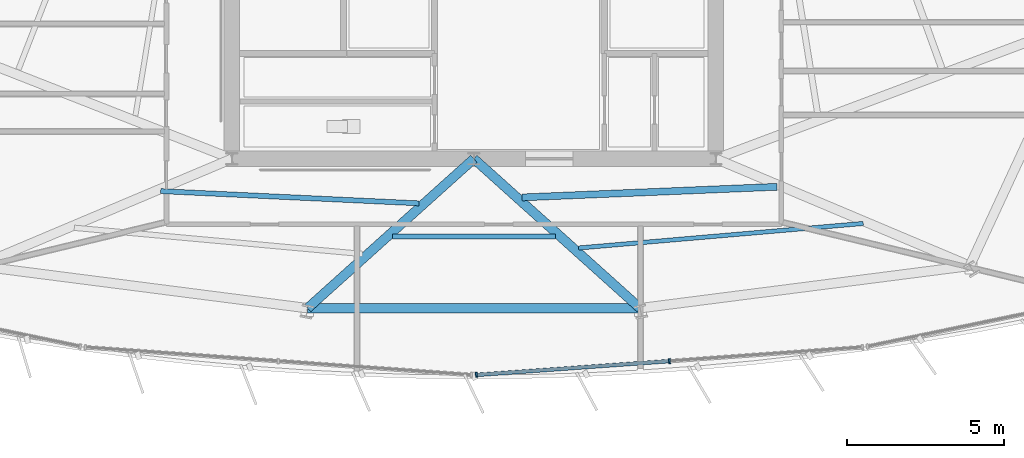
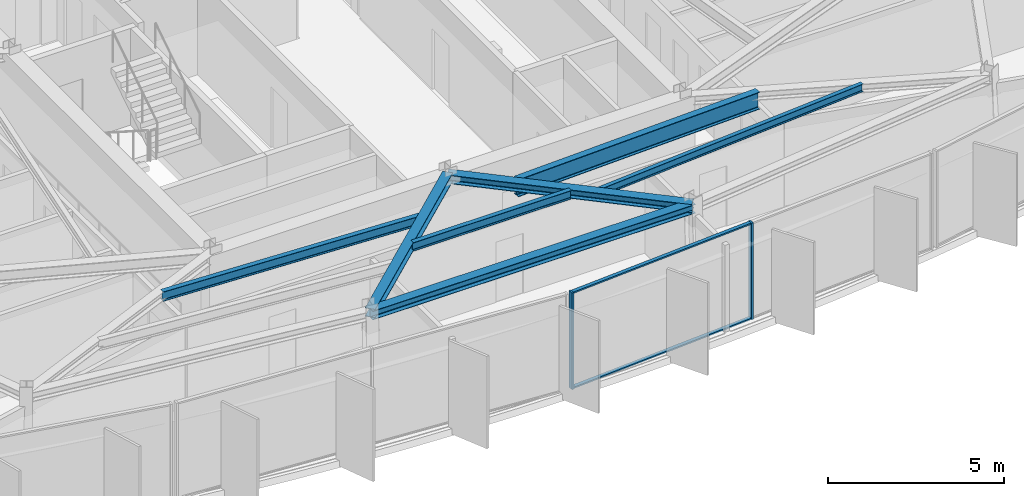
# One storey, part 3 of 13: 7 beams, 4 members, 1 element without a shape of its own.
"""IFC4 building model written with IfcOpenShell, lengths in metres."""

from ifc_helpers import new_model, si_unit, direction, frame, origin, origin_2d, place, context, subcontext, project, spatial, rectangle, i_section, extrude, material, material_profile, profile_set, type_object, element, aggregate, save


model = new_model("IFC4")

# Units and contexts
model_context = context("Model", 3, precision=1e-05, world=origin(), true_north=direction((0.0, 1.0)))
body_context = subcontext(model_context, "Body", "Model", "MODEL_VIEW")
ifc_project = project(units=[si_unit("LENGTHUNIT", "METRE"), si_unit("AREAUNIT", "SQUARE_METRE"), si_unit("VOLUMEUNIT", "CUBIC_METRE"), si_unit("PLANEANGLEUNIT", "RADIAN"), si_unit("MASSUNIT", "GRAM", prefix="KILO")], contexts=[model_context])

# Site, building, storey
site_placement = place(None, origin())
site = spatial("IfcSite", under=ifc_project, at=site_placement, CompositionType="ELEMENT")
building_placement = place(site_placement, origin())
building = spatial("IfcBuilding", under=site, at=building_placement, Name="Savorim Split Tower", CompositionType="ELEMENT")
storey_placement = place(building_placement, frame((0.0, 0.0, 254.39990234375)))
storey = spatial("IfcBuildingStorey", under=building, at=storey_placement, Name="L67", CompositionType="ELEMENT", Elevation=254.39990234375)

# Beams
ifc_material_1 = material(Name="Steel S355", Category="steel")
ifc_material_profile_1 = material_profile(ifc_material_1, i_section(OverallWidth=0.135009765625, OverallDepth=0.27001953125, WebThickness=0.006591796875, FlangeThickness=0.01025390625, FilletRadius=0.014892578125, at=origin_2d()), Name="IPE 270")
ifc_profile_set_1 = profile_set([ifc_material_profile_1], Name="Steel S355")
beam_type_1 = type_object("IfcBeamType", Name="BM-JST-IPE270", PredefinedType="JOIST", material=ifc_profile_set_1)
beam_1_placement = place(storey_placement, frame((3.33251953125, -12.239501953125, 3.215087890625), z_axis=(0.996301717024, 0.085923737437, 0.0), x_axis=(-0.085923737437, 0.996301717024, 0.0)))
element("IfcBeam", 1, at=beam_1_placement, inside=storey, type_object=beam_type_1, Name="L67 Secondary Floor Joist JS-04", PredefinedType="JOIST", context=body_context, shape_type="SweptSolid", body=[
    extrude(i_section(OverallWidth=0.135009765625, OverallDepth=0.27001953125, WebThickness=0.006591796875, FlangeThickness=0.01025390625, FilletRadius=0.014892578125, at=origin_2d()), origin(), (0.0, 0.0, 1.0), 9.089599609375),
])
ifc_material_profile_2 = material_profile(ifc_material_1, i_section(OverallWidth=0.14990234375, OverallDepth=0.300048828125, WebThickness=0.007080078125, FlangeThickness=0.0107421875, FilletRadius=0.014892578125, at=origin_2d()), Name="IPE 300")
ifc_profile_set_2 = profile_set([ifc_material_profile_2], Name="Steel S355")
beam_type_2 = type_object("IfcBeamType", Name="BM-JST-IPE300", PredefinedType="JOIST", material=ifc_profile_set_2)
beam_2_placement = place(storey_placement, frame((-2.590087890625, -11.872802734375, 3.2001953125), z_axis=(1.0, 0.0, 0.0), x_axis=(0.0, 1.0, 0.0)))
element("IfcBeam", 2, at=beam_2_placement, inside=storey, type_object=beam_type_2, Name="L67 Secondary Floor Joist JS-03", PredefinedType="JOIST", context=body_context, shape_type="SweptSolid", body=[
    extrude(i_section(OverallWidth=0.14990234375, OverallDepth=0.300048828125, WebThickness=0.007080078125, FlangeThickness=0.0107421875, FilletRadius=0.014892578125, at=origin_2d()), origin(), (0.0, 0.0, 1.0), 5.18017578125),
])
ifc_material_profile_3 = material_profile(ifc_material_1, i_section(OverallWidth=0.159912109375, OverallDepth=0.330078125, WebThickness=0.007568359375, FlangeThickness=0.011474609375, FilletRadius=0.01806640625, at=origin_2d()), Name="IPE 330")
ifc_profile_set_3 = profile_set([ifc_material_profile_3], Name="Steel S355")
beam_type_3 = type_object("IfcBeamType", Name="BM-JST-IPE330", PredefinedType="JOIST", material=ifc_profile_set_3)
beam_3_placement = place(storey_placement, frame((-9.964111328125, -10.429931640625, 3.18505859375), z_axis=(0.998881992953, -0.04727329218, 0.0), x_axis=(0.04727329218, 0.998881992953, 0.0)))
element("IfcBeam", 3, at=beam_3_placement, inside=storey, type_object=beam_type_3, Name="L67 Secondary Floor Joist JS-02", PredefinedType="JOIST", context=body_context, shape_type="SweptSolid", body=[
    extrude(i_section(OverallWidth=0.159912109375, OverallDepth=0.330078125, WebThickness=0.007568359375, FlangeThickness=0.011474609375, FilletRadius=0.01806640625, at=origin_2d()), origin(), (0.0, 0.0, 1.0), 8.22705078125),
])
ifc_material_profile_4 = material_profile(ifc_material_1, i_section(OverallWidth=0.219970703125, OverallDepth=0.60009765625, WebThickness=0.011962890625, FlangeThickness=0.01904296875, FilletRadius=0.02392578125, at=origin_2d()), Name="IPE 600")
ifc_profile_set_4 = profile_set([ifc_material_profile_4], Name="Steel S355")
beam_type_4 = type_object("IfcBeamType", Name="BM-JST-IPE600", PredefinedType="JOIST", material=ifc_profile_set_4)
beam_4_placement = place(storey_placement, frame((1.534912109375, -10.629638671875, 3.050048828125), z_axis=(0.999137344424, 0.041527906009, 0.0), x_axis=(-0.041527906009, 0.999137344424, 0.0)))
element("IfcBeam", 4, at=beam_4_placement, inside=storey, type_object=beam_type_4, Name="L67 Secondary Floor Joist JS-05", PredefinedType="JOIST", context=body_context, shape_type="SweptSolid", body=[
    extrude(i_section(OverallWidth=0.219970703125, OverallDepth=0.60009765625, WebThickness=0.011962890625, FlangeThickness=0.01904296875, FilletRadius=0.02392578125, at=origin_2d()), origin(), (0.0, 0.0, 1.0), 8.113037109375),
])
ifc_material_profile_5 = material_profile(ifc_material_1, i_section(OverallWidth=0.300048828125, OverallDepth=0.300048828125, WebThickness=0.010986328125, FlangeThickness=0.01904296875, FilletRadius=0.027099609375, at=origin_2d()), Name="HEB 300")
ifc_profile_set_5 = profile_set([ifc_material_profile_5], Name="Steel S355")
beam_type_5 = type_object("IfcBeamType", Name="BM-PRI-HEB300", PredefinedType="BEAM", material=ifc_profile_set_5)
for number, where, z_axis, x_axis, name in (
    (5, (-5.28857421875, -14.155029296875, 3.2001953125), (0.743614961935, 0.668608097757, 0.0), (-0.668608097757, 0.743614961935, 0.0), "L67 Primary Floor Girder RG-02"),
    (6, (5.28857421875, -14.155029296875, 3.2001953125), (-0.743614961935, 0.668608097757, 0.0), (-0.668608097757, -0.743614961935, 0.0), "L67 Primary Floor Girder RG-03"),
):
    element("IfcBeam", number, at=place(storey_placement, frame(where, z_axis=z_axis, x_axis=x_axis)), inside=storey, type_object=beam_type_5, Name=name, PredefinedType="BEAM", context=body_context, shape_type="SweptSolid", body=[
        extrude(i_section(OverallWidth=0.300048828125, OverallDepth=0.300048828125, WebThickness=0.010986328125, FlangeThickness=0.01904296875, FilletRadius=0.027099609375, at=origin_2d()), origin(), (0.0, 0.0, 1.0), 7.112060546875),
    ])
ifc_material_profile_6 = material_profile(ifc_material_1, i_section(OverallWidth=0.300048828125, OverallDepth=0.31005859375, WebThickness=0.009033203125, FlangeThickness=0.015380859375, FilletRadius=0.027099609375, at=origin_2d()), Name="HEA 320")
ifc_profile_set_6 = profile_set([ifc_material_profile_6], Name="Steel S355")
beam_type_6 = type_object("IfcBeamType", Name="BM-SPN-HEA320", PredefinedType="SPANDREL", material=ifc_profile_set_6)
beam_5_placement = place(storey_placement, frame((-5.28857421875, -14.155029296875, 3.195068359375), z_axis=(1.0, 0.0, 0.0), x_axis=(0.0, 1.0, 0.0)))
element("IfcBeam", 7, at=beam_5_placement, inside=storey, type_object=beam_type_6, Name="L67 Perimeter Spandrel Beam 2", PredefinedType="SPANDREL", context=body_context, shape_type="SweptSolid", body=[
    extrude(i_section(OverallWidth=0.300048828125, OverallDepth=0.31005859375, WebThickness=0.009033203125, FlangeThickness=0.015380859375, FilletRadius=0.027099609375, at=origin_2d()), origin(), (0.0, 0.0, 1.0), 10.5771484375),
])

# Curtain wall, members
ifc_material_2 = material(Name="Dark Ceramic-Fritted Insulated Glass", Category="glass")
curtain_wall_type = type_object("IfcCurtainWallType", Name="CW-TWR-FRIT-B", PredefinedType="NOTDEFINED", material=ifc_material_2)
curtain_wall_placement = place(storey_placement, origin())
curtain_wall = element("IfcCurtainWall", 8, at=curtain_wall_placement, inside=storey, type_object=curtain_wall_type, Name="L67 Curtain Wall CW-L67-SF3", PredefinedType="NOTDEFINED")
ifc_material_3 = material(Name="Charcoal Anodised Aluminium", Category="aluminium")
ifc_material_profile_7 = material_profile(ifc_material_3, rectangle(XDim=0.159912109375, YDim=0.06005859375, at=origin_2d()), Name="ALU-M 160x60")
ifc_profile_set_7 = profile_set([ifc_material_profile_7], Name="Charcoal Anodised Aluminium")
member_type_1 = type_object("IfcMemberType", Name="CWM-160x60", PredefinedType="MULLION", material=ifc_profile_set_7)
member_1_placement = place(storey_placement, frame((0.081298828125, -16.277099609375, 0.0), z_axis=(0.0, 0.0, 1.0), x_axis=(-0.071562386711, 0.997436125678, 0.0)))
member_1 = element("IfcMember", 9, at=member_1_placement, type_object=member_type_1, Name="CW-03 mullion 1", PredefinedType="MULLION", context=body_context, shape_type="SweptSolid", body=[
    extrude(rectangle(XDim=0.159912109375, YDim=0.06005859375, at=origin_2d()), origin(), (0.0, 0.0, 1.0), 3.35009765625),
])
member_2_placement = place(storey_placement, frame((6.2216796875, -15.83642578125, 0.0), z_axis=(0.0, 0.0, 1.0), x_axis=(-0.071562386711, 0.997436125678, 0.0)))
member_2 = element("IfcMember", 10, at=member_2_placement, type_object=member_type_1, Name="CW-03 mullion 2", PredefinedType="MULLION", context=body_context, shape_type="SweptSolid", body=[
    extrude(rectangle(XDim=0.159912109375, YDim=0.06005859375, at=origin_2d()), origin(), (0.0, 0.0, 1.0), 3.35009765625),
])
ifc_material_profile_8 = material_profile(ifc_material_3, rectangle(XDim=0.1201171875, YDim=0.050048828125, at=origin_2d()), Name="ALU-T 120x50")
ifc_profile_set_8 = profile_set([ifc_material_profile_8], Name="Charcoal Anodised Aluminium")
member_type_2 = type_object("IfcMemberType", Name="CWT-120x50", PredefinedType="USERDEFINED", material=ifc_profile_set_8)
member_3_placement = place(storey_placement, frame((0.111083984375, -16.27490234375, 0.025146484375), z_axis=(0.997435880483, 0.071565804161, 0.0), x_axis=(-0.071565804161, 0.997435880483, 0.0)))
member_3 = element("IfcMember", 11, at=member_3_placement, type_object=member_type_2, Name="CW-03 transom 1.1", ObjectType="TRANSOM", PredefinedType="USERDEFINED", context=body_context, shape_type="SweptSolid", body=[
    extrude(rectangle(XDim=0.1201171875, YDim=0.050048828125, at=origin_2d()), origin(), (0.0, 0.0, 1.0), 6.09619140625),
])
member_4_placement = place(storey_placement, frame((0.111083984375, -16.27490234375, 3.3251953125), z_axis=(0.997435880483, 0.071565804161, 0.0), x_axis=(-0.071565804161, 0.997435880483, 0.0)))
member_4 = element("IfcMember", 12, at=member_4_placement, type_object=member_type_2, Name="CW-03 transom 1.2", ObjectType="TRANSOM", PredefinedType="USERDEFINED", context=body_context, shape_type="SweptSolid", body=[
    extrude(rectangle(XDim=0.1201171875, YDim=0.050048828125, at=origin_2d()), origin(), (0.0, 0.0, 1.0), 6.09619140625),
])
aggregate(curtain_wall, [member_1, member_2, member_3, member_4])

save(model, "model.ifc")
